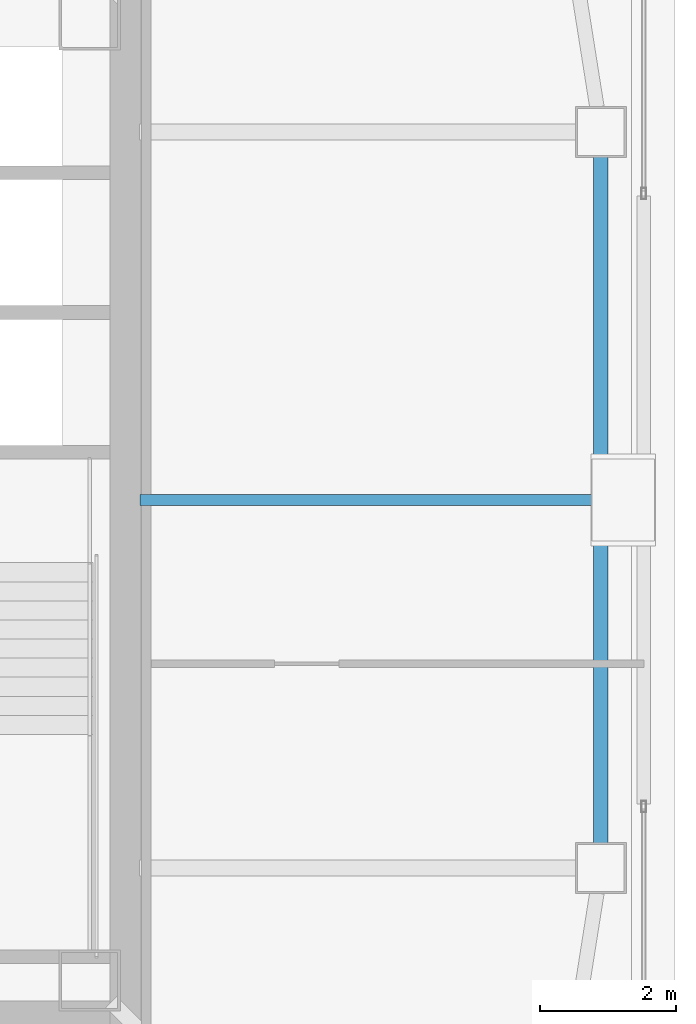
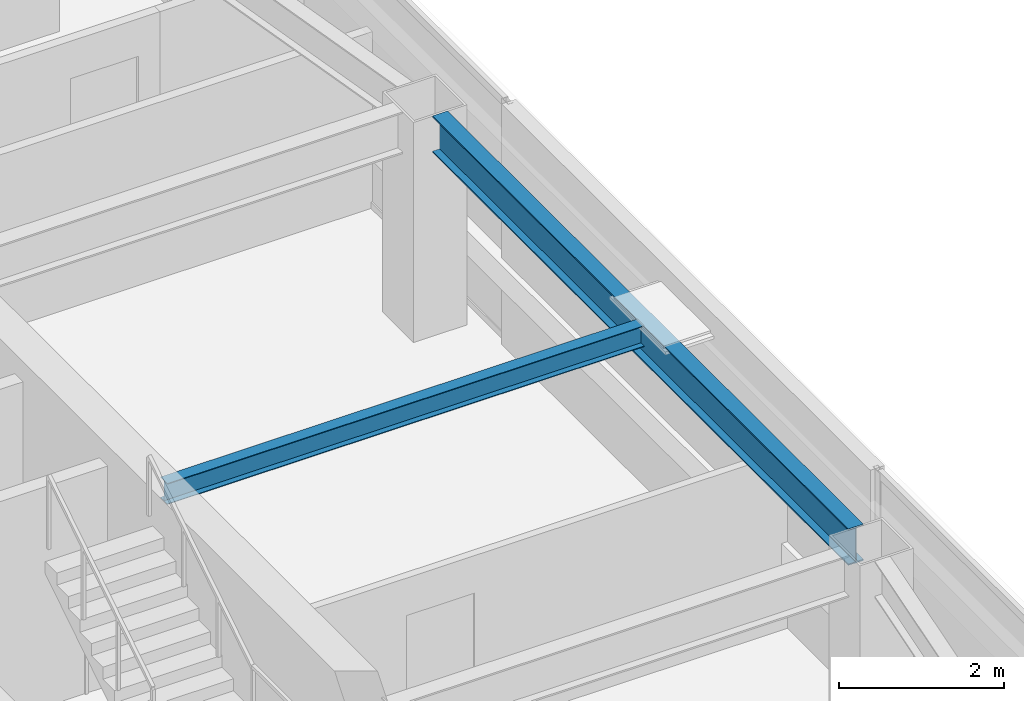
# One storey, part 7 of 18: 2 beams.
"""IFC4 building model written with IfcOpenShell, lengths in metres."""

from ifc_helpers import new_model, si_unit, direction, frame, origin, origin_2d, place, context, subcontext, project, spatial, i_section, extrude, material, material_profile, profile_set, type_object, element, save


model = new_model("IFC4")

# Units and contexts
model_context = context("Model", 3, precision=1e-05, world=origin(), true_north=direction((0.0, 1.0)))
body_context = subcontext(model_context, "Body", "Model", "MODEL_VIEW")
ifc_project = project(units=[si_unit("LENGTHUNIT", "METRE"), si_unit("AREAUNIT", "SQUARE_METRE"), si_unit("VOLUMEUNIT", "CUBIC_METRE"), si_unit("PLANEANGLEUNIT", "RADIAN"), si_unit("MASSUNIT", "GRAM", prefix="KILO")], contexts=[model_context])

# Site, building, storey
site_placement = place(None, origin())
site = spatial("IfcSite", under=ifc_project, at=site_placement, CompositionType="ELEMENT")
building_placement = place(site_placement, origin())
building = spatial("IfcBuilding", under=site, at=building_placement, Name="Tashvorn Skyway Center", CompositionType="ELEMENT")
storey_placement = place(building_placement, frame((0.0, 0.0, 274.050048828125)))
storey = spatial("IfcBuildingStorey", under=building, at=storey_placement, Name="L74", CompositionType="ELEMENT", Elevation=274.050048828125)

# Beams
ifc_material = material(Name="Steel ASTM A992 Grade 50", Category="steel")
ifc_material_profile_1 = material_profile(ifc_material, i_section(OverallWidth=0.1650390625, OverallDepth=0.31005859375, WebThickness=0.005859375, FlangeThickness=0.009765625, at=origin_2d()), Name="W12X26")
ifc_profile_set_1 = profile_set([ifc_material_profile_1], Name="Steel ASTM A992 Grade 50")
beam_type_1 = type_object("IfcBeamType", Name="BM-JOIST-W12X26", PredefinedType="JOIST", material=ifc_profile_set_1)
beam_1_placement = place(storey_placement, frame((49.7900390625, 32.0, 3.094970703125), z_axis=(1.0, 0.0, 0.0), x_axis=(0.0, 1.0, 0.0)))
element("IfcBeam", 1, at=beam_1_placement, inside=storey, type_object=beam_type_1, Name="Tower 1 L74 Secondary Composite Joist JE", PredefinedType="JOIST", context=body_context, shape_type="SweptSolid", body=[
    extrude(i_section(OverallWidth=0.1650390625, OverallDepth=0.31005859375, WebThickness=0.005859375, FlangeThickness=0.009765625, at=origin_2d()), origin(), (0.0, 0.0, 1.0), 6.662353515625),
])
ifc_material_profile_2 = material_profile(ifc_material, i_section(OverallWidth=0.2109375, OverallDepth=0.5390625, WebThickness=0.01171875, FlangeThickness=0.018798828125, at=origin_2d()), Name="W21X73")
ifc_profile_set_2 = profile_set([ifc_material_profile_2], Name="Steel ASTM A992 Grade 50")
beam_type_2 = type_object("IfcBeamType", Name="BM-SPANDREL-W21X73", PredefinedType="SPANDREL", material=ifc_profile_set_2)
beam_2_placement = place(storey_placement, frame((56.550048828125, 26.969970703125, 2.98046875), z_axis=(0.0, 1.0, 0.0), x_axis=(-1.0, 0.0, 0.0)))
element("IfcBeam", 2, at=beam_2_placement, inside=storey, type_object=beam_type_2, Name="Tower 1 L74 Spandrel Beam 05", PredefinedType="SPANDREL", context=body_context, shape_type="SweptSolid", body=[
    extrude(i_section(OverallWidth=0.2109375, OverallDepth=0.5390625, WebThickness=0.01171875, FlangeThickness=0.018798828125, at=origin_2d()), origin(), (0.0, 0.0, 1.0), 10.06005859375),
])

save(model, "model.ifc")
